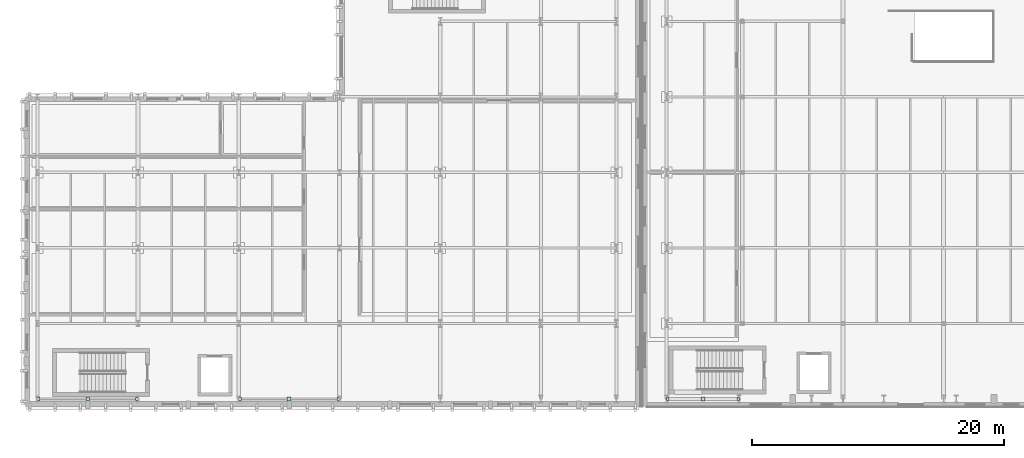
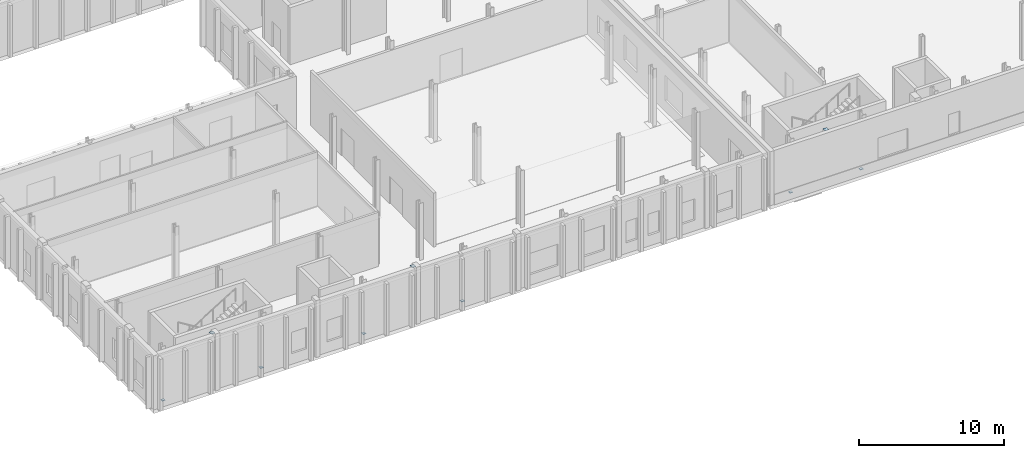
# One storey, part 16 of 60: 9 plates.
"""IFC4 building model written with IfcOpenShell, lengths in metres."""

import ifcopenshell
import ifcopenshell.guid

model = None  # the IFC model being written
_history = None  # IfcOwnerHistory: only IFC2X3 demands one
_inside = {}  # id of a spatial element -> (the spatial element, [elements in it])
_under = {}  # id of a project, library or spatial element -> (it, [spatial elements below it])
_declared = {}  # id of a project -> (the project, [libraries it declares])
_typed = {}  # id of a type object -> (the type object, [elements of that type])
_made_of = {}  # id of a material, layer set ... -> (it, [elements and type objects made of it])


def new_model(schema):
    """Start an empty IFC model of exactly this schema.

    Asked for "IFC4X3", IfcOpenShell would pick the latest addendum, in which some entities
    have other attributes; the version numbers below select the first issue.
    IFC2X3 requires an IfcOwnerHistory on every rooted entity: one is made here for all.
    """
    global model, _history
    if schema == "IFC4X3":
        model = ifcopenshell.file(schema_version=(4, 3, 0, 0))
    else:
        model = ifcopenshell.file(schema=schema)
    _inside.clear()
    _under.clear()
    _declared.clear()
    _typed.clear()
    _made_of.clear()
    _history = None
    if model.schema == "IFC2X3":
        org = make("IfcOrganization", Name="unknown")
        user = make(
            "IfcPersonAndOrganization",
            ThePerson=make("IfcPerson", FamilyName="unknown"),
            TheOrganization=org,
        )
        app = make(
            "IfcApplication",
            ApplicationDeveloper=org,
            Version="unknown",
            ApplicationFullName="unknown",
            ApplicationIdentifier="unknown",
        )
        _history = make(
            "IfcOwnerHistory",
            OwningUser=user,
            OwningApplication=app,
            ChangeAction="ADDED",
            CreationDate=0,
        )
    return model


def make(cls, **values):
    """One entity of the class cls with the attributes given. An attribute that is None is left unset."""
    return model.create_entity(
        cls, **{name: value for name, value in values.items() if value is not None}
    )


def rooted(cls, **values):
    """An entity with a GlobalId (a new one), such as an element, a storey or a relation."""
    return make(cls, GlobalId=ifcopenshell.guid.new(), OwnerHistory=_history, **values)


def si_unit(unit_type, name, prefix=None):
    """IfcSIUnit, for example si_unit("LENGTHUNIT", "METRE", prefix="MILLI")."""
    return make("IfcSIUnit", UnitType=unit_type, Prefix=prefix, Name=name)


def assignment(units):
    """IfcUnitAssignment: the units of a project."""
    return None if units is None else make("IfcUnitAssignment", Units=units)


def point(xyz):
    """IfcCartesianPoint."""
    return None if xyz is None else make("IfcCartesianPoint", Coordinates=xyz)


def direction(xyz):
    """IfcDirection."""
    return None if xyz is None else make("IfcDirection", DirectionRatios=xyz)


def frame(location, z_axis=None, x_axis=None):
    """IfcAxis2Placement3D, a coordinate frame: its origin and axes. An axis left out is left unset."""
    return make(
        "IfcAxis2Placement3D",
        Location=point(location),
        Axis=direction(z_axis),
        RefDirection=direction(x_axis),
    )


def frame_2d(location, x_axis=None):
    """IfcAxis2Placement2D, a coordinate frame in the plane: its origin and x axis."""
    return make(
        "IfcAxis2Placement2D", Location=point(location), RefDirection=direction(x_axis)
    )


def origin():
    """The frame at (0, 0, 0) with its axes left unset."""
    return frame((0.0, 0.0, 0.0))


def origin_2d():
    """The frame at (0, 0) in the plane with its x axis left unset."""
    return frame_2d((0.0, 0.0))


def place(relative_to, where):
    """IfcLocalPlacement: puts the frame where relative to a parent placement (None: the world)."""
    return make(
        "IfcLocalPlacement", PlacementRelTo=relative_to, RelativePlacement=where
    )


def context(
    kind, dimensions, precision=None, world=None, true_north=None, identifier=None
):
    """IfcGeometricRepresentationContext, for example the 3D "Model" context."""
    return make(
        "IfcGeometricRepresentationContext",
        ContextIdentifier=identifier,
        ContextType=kind,
        CoordinateSpaceDimension=dimensions,
        Precision=precision,
        WorldCoordinateSystem=world,
        TrueNorth=true_north,
    )


def subcontext(parent, identifier, kind, view, scale=None):
    """IfcGeometricRepresentationSubContext, for example "Body" below "Model"."""
    return make(
        "IfcGeometricRepresentationSubContext",
        ContextIdentifier=identifier,
        ContextType=kind,
        ParentContext=parent,
        TargetScale=scale,
        TargetView=view,
    )


def project(units=None, contexts=None):
    """IfcProject with its units and contexts."""
    return rooted(
        "IfcProject",
        Name="project",
        RepresentationContexts=contexts,
        UnitsInContext=assignment(units),
    )


def spatial(cls, under=None, at=None, **own):
    """A site, building, storey or space (cls), placed at a placement, below another one or the project."""
    s = rooted(cls, ObjectPlacement=at, **own)
    if under is not None:
        _under.setdefault(under.id(), (under, []))[1].append(s)
    return s


def profile(cls, at=None, kind="AREA", **sizes):
    """A parametric profile (cls). Its sizes go by their IFC names, for example OverallWidth=200.0."""
    return make(cls, ProfileType=kind, Position=at, **sizes)


def rectangle(**sizes):
    """IfcRectangleProfileDef."""
    return profile("IfcRectangleProfileDef", **sizes)


def extrude(swept, where, along, depth):
    """IfcExtrudedAreaSolid: the profile swept, set in the frame where, extruded along a direction by depth."""
    return make(
        "IfcExtrudedAreaSolid",
        SweptArea=swept,
        Position=where,
        ExtrudedDirection=direction(along),
        Depth=depth,
    )


def shape(context_of_items, identifier, shape_type, items):
    """IfcShapeRepresentation: the items that make up one representation, for example the "Body"."""
    return make(
        "IfcShapeRepresentation",
        ContextOfItems=context_of_items,
        RepresentationIdentifier=identifier,
        RepresentationType=shape_type,
        Items=items,
    )


def material(Name=None, Category=None):
    """IfcMaterial."""
    return make("IfcMaterial", Name=Name, Category=Category)


def layer(
    of_material, thickness, ventilated=None, Name=None, Category=None, Priority=None
):
    """IfcMaterialLayer: one layer of a wall or slab, of a material (None: an air gap)."""
    return make(
        "IfcMaterialLayer",
        Material=of_material,
        LayerThickness=thickness,
        IsVentilated=ventilated,
        Name=Name,
        Category=Category,
        Priority=Priority,
    )


def layer_set(layers, Name=None):
    """IfcMaterialLayerSet."""
    return make("IfcMaterialLayerSet", MaterialLayers=layers, LayerSetName=Name)


def made_of(thing, what):
    """Note that an element or type object is made of a material, layer set ...; save() writes the relation."""
    if what is not None:
        _made_of.setdefault(what.id(), (what, []))[1].append(thing)
    return thing


def type_object(cls, material=None, **own):
    """A type object (cls), such as IfcWallType, which elements share."""
    return made_of(rooted(cls, **own), material)


def element(
    cls,
    number,
    at=None,
    inside=None,
    cuts=None,
    type_object=None,
    material=None,
    context=None,
    identifier="Body",
    shape_type=None,
    held_by="IfcProductDefinitionShape",
    body=None,
    shapes=None,
    **own,
):
    """One element of the class cls, such as IfcWall. Its Tag is "e" and its number.

    at: its placement. inside: the storey or other place that contains it. cuts: it is an
    opening in that element (IfcRelVoidsElement). A single representation is given by context,
    identifier, shape_type and body (its items); several are given by shapes. held_by: the class
    of the entity that holds the representations. save() writes the other relations.
    """
    e = rooted(cls, Tag="e%d" % number, ObjectPlacement=at, **own)
    if body is not None:
        shapes = [shape(context, identifier, shape_type, body)]
    if shapes is not None:
        e.Representation = make(held_by, Representations=shapes)
    if inside is not None:
        _inside.setdefault(inside.id(), (inside, []))[1].append(e)
    if cuts is not None:
        rooted(
            "IfcRelVoidsElement", RelatingBuildingElement=cuts, RelatedOpeningElement=e
        )
    if type_object is not None:
        _typed.setdefault(type_object.id(), (type_object, []))[1].append(e)
    return made_of(e, material)


def aggregate(whole, parts):
    """IfcRelAggregates: a whole, such as a stair, and the parts it consists of."""
    return rooted("IfcRelAggregates", RelatingObject=whole, RelatedObjects=parts)


def save(model, path):
    """Write the relations noted so far, then the file.

    IfcRelAggregates (storeys below a building ...), IfcRelContainedInSpatialStructure (elements
    in a storey), IfcRelDefinesByType, IfcRelAssociatesMaterial and IfcRelDeclares: one each for
    every whole, place, type object, material and project.
    """
    for whole, parts in _under.values():
        aggregate(whole, parts)
    for where, things in _inside.values():
        rooted(
            "IfcRelContainedInSpatialStructure",
            RelatedElements=things,
            RelatingStructure=where,
        )
    for kind, things in _typed.values():
        rooted("IfcRelDefinesByType", RelatedObjects=things, RelatingType=kind)
    for what, things in _made_of.values():
        rooted("IfcRelAssociatesMaterial", RelatedObjects=things, RelatingMaterial=what)
    for by, libraries in _declared.values():
        rooted("IfcRelDeclares", RelatingContext=by, RelatedDefinitions=libraries)
    model.write(path)


model = new_model("IFC4")

# Units and contexts
model_context = context("Model", 3, precision=1e-05, world=origin(), true_north=direction((0.0, 1.0)))
body_context = subcontext(model_context, "Body", "Model", "MODEL_VIEW")
ifc_project = project(units=[si_unit("LENGTHUNIT", "METRE"), si_unit("AREAUNIT", "SQUARE_METRE"), si_unit("VOLUMEUNIT", "CUBIC_METRE"), si_unit("PLANEANGLEUNIT", "RADIAN"), si_unit("MASSUNIT", "GRAM", prefix="KILO")], contexts=[model_context])

# Site, building, storey
site_placement = place(None, origin())
site = spatial("IfcSite", under=ifc_project, at=site_placement, CompositionType="ELEMENT")
building_placement = place(site_placement, origin())
building = spatial("IfcBuilding", under=site, at=building_placement, Name="Cymarion Research Institute", CompositionType="ELEMENT")
storey_placement = place(building_placement, origin())
storey = spatial("IfcBuildingStorey", under=building, at=storey_placement, Name="L00", CompositionType="ELEMENT", Elevation=0.0)

# Plates
ifc_material = material(Name="Steel S355", Category="steel")
ifc_layer_1 = layer(ifc_material, 0.01806640625)
ifc_layer_set_1 = layer_set([ifc_layer_1], Name="Steel S355")
plate_type_1 = type_object("IfcPlateType", Name="STEEL NODE GUSSET PLATE CP01 18MM", PredefinedType="USERDEFINED", material=ifc_layer_set_1)
for number, where, z_axis, x_axis, name in (
    (1, (59.47509765625, 5.5, 4.40087890625), (0.0, 0.0, 1.0), (1.0, 0.0, 0.0), "L00 V2 chevron apex gusset plate"),
    (2, (10.60009765625, 5.5, 4.40087890625), (0.0, 0.0, 1.0), (1.0, 0.0, 0.0), "L00 V3 chevron apex gusset plate"),
    (3, (26.60009765625, 5.5, 4.40087890625), (0.0, 0.0, 1.0), (1.0, 0.0, 0.0), "L00 V3 chevron apex gusset plate"),
):
    element("IfcPlate", number, at=place(storey_placement, frame(where, z_axis=z_axis, x_axis=x_axis)), inside=storey, type_object=plate_type_1, Name=name, ObjectType="GUSSET PLATE", PredefinedType="USERDEFINED", context=body_context, shape_type="SweptSolid", body=[
        extrude(rectangle(XDim=0.300048828125, YDim=0.300048828125, at=origin_2d()), origin(), (0.0, 0.0, 1.0), 0.01806640625),
    ])
ifc_layer_2 = layer(ifc_material, 0.011962890625)
ifc_layer_set_2 = layer_set([ifc_layer_2], Name="Steel S355")
plate_type_2 = type_object("IfcPlateType", Name="STEEL NODE GUSSET PLATE CP02 12MM", PredefinedType="USERDEFINED", material=ifc_layer_set_2)
for number, where, z_axis, x_axis, name in (
    (4, (56.666748046875, 5.5, 0.1142578125), (0.0, 0.0, 1.0), (1.0, 0.0, 0.0), "L00 V2 chevron base gusset plate #1"),
    (5, (62.283203125, 5.5, 0.1142578125), (0.0, 0.0, 1.0), (1.0, 0.0, 0.0), "L00 V2 chevron base gusset plate #2"),
    (6, (6.681884765625, 5.5, 0.1142578125), (0.0, 0.0, 1.0), (1.0, 0.0, 0.0), "L00 V3 chevron base gusset plate #1"),
    (7, (14.518310546875, 5.5, 0.1142578125), (0.0, 0.0, 1.0), (1.0, 0.0, 0.0), "L00 V3 chevron base gusset plate #2"),
    (8, (22.681884765625, 5.5, 0.1142578125), (0.0, 0.0, 1.0), (1.0, 0.0, 0.0), "L00 V3 chevron base gusset plate #1"),
    (9, (30.518310546875, 5.5, 0.1142578125), (0.0, 0.0, 1.0), (1.0, 0.0, 0.0), "L00 V3 chevron base gusset plate #2"),
):
    element("IfcPlate", number, at=place(storey_placement, frame(where, z_axis=z_axis, x_axis=x_axis)), inside=storey, type_object=plate_type_2, Name=name, ObjectType="GUSSET PLATE", PredefinedType="USERDEFINED", context=body_context, shape_type="SweptSolid", body=[
        extrude(rectangle(XDim=0.239990234375, YDim=0.239990234375, at=origin_2d()), origin(), (0.0, 0.0, 1.0), 0.011962890625),
    ])

save(model, "model.ifc")
